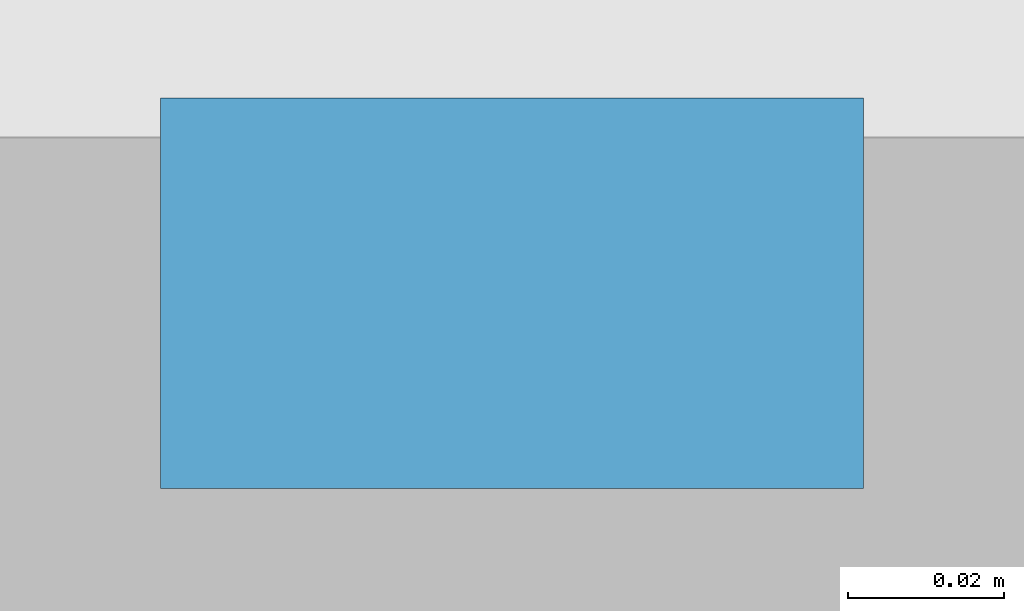
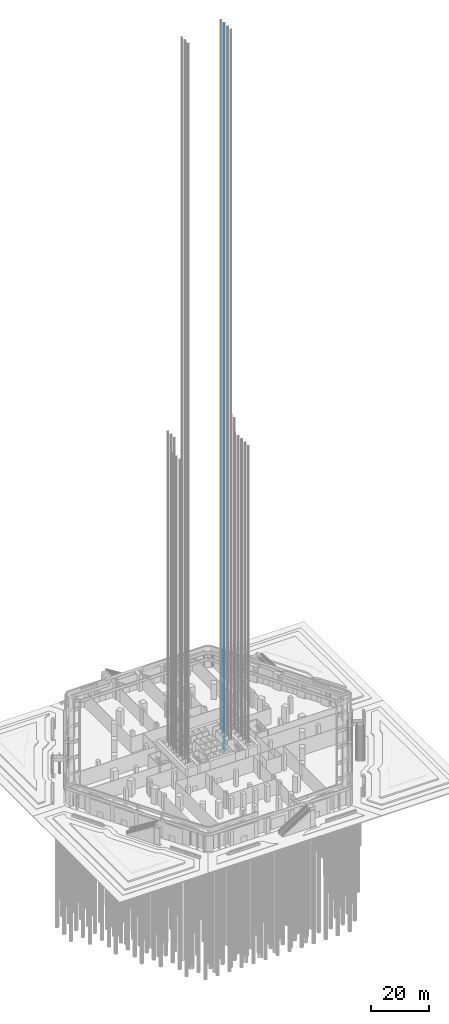
# One storey, part 54 of 68: 1 discrete accessory.
"""IFC4 building model written with IfcOpenShell, lengths in metres."""

from ifc_helpers import new_model, si_unit, direction, frame, origin, origin_2d, place, context, subcontext, project, spatial, rectangle, extrude, element, save


model = new_model("IFC4")

# Units and contexts
model_context = context("Model", 3, precision=1e-05, world=origin(), true_north=direction((0.0, 1.0)))
body_context = subcontext(model_context, "Body", "Model", "MODEL_VIEW")
ifc_project = project(units=[si_unit("LENGTHUNIT", "METRE"), si_unit("AREAUNIT", "SQUARE_METRE"), si_unit("VOLUMEUNIT", "CUBIC_METRE"), si_unit("PLANEANGLEUNIT", "RADIAN"), si_unit("MASSUNIT", "GRAM", prefix="KILO")], contexts=[model_context])

# Site, building, storey
site_placement = place(None, origin())
site = spatial("IfcSite", under=ifc_project, at=site_placement, CompositionType="ELEMENT")
building_placement = place(site_placement, origin())
building = spatial("IfcBuilding", under=site, at=building_placement, Name="Kolab Exchange Tower", CompositionType="ELEMENT")
storey_placement = place(building_placement, origin())
storey = spatial("IfcBuildingStorey", under=building, at=storey_placement, Name="L00", CompositionType="ELEMENT", Elevation=0.0)

# Discrete accessory
discrete_accessory_placement = place(storey_placement, frame((7.800048828125, 2.530029296875, -1.599853515625), z_axis=(0.0, 0.0, 1.0), x_axis=(1.0, 0.0, 0.0)))
element("IfcDiscreteAccessory", 1, at=discrete_accessory_placement, inside=storey, Name="Guide rail SV3-1", ObjectType="GUIDE RAIL", PredefinedType="USERDEFINED", context=body_context, shape_type="SweptSolid", body=[
    extrude(rectangle(XDim=0.090087890625, YDim=0.050048828125, at=origin_2d()), origin(), (0.0, 0.0, 1.0), 307.89990234375),
])

save(model, "model.ifc")
